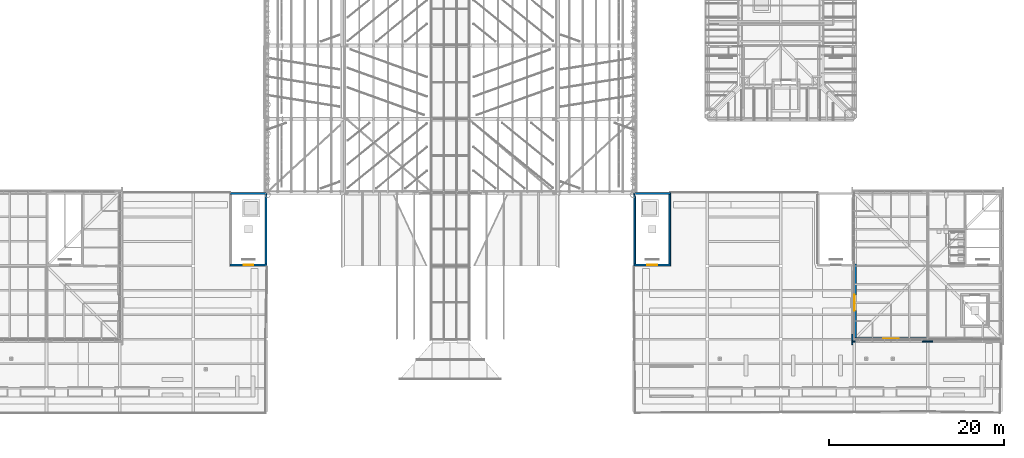
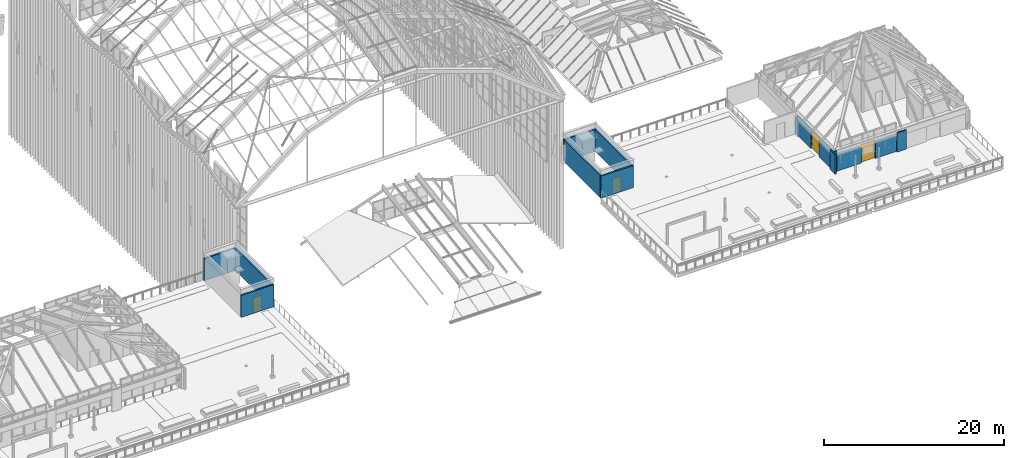
# One storey, part 79 of 126: 12 walls, 4 doors, 4 openings.
"""IFC4 building model written with IfcOpenShell, lengths in metres."""

import ifcopenshell
import ifcopenshell.guid

model = None  # the IFC model being written
_history = None  # IfcOwnerHistory: only IFC2X3 demands one
_inside = {}  # id of a spatial element -> (the spatial element, [elements in it])
_under = {}  # id of a project, library or spatial element -> (it, [spatial elements below it])
_declared = {}  # id of a project -> (the project, [libraries it declares])
_typed = {}  # id of a type object -> (the type object, [elements of that type])
_made_of = {}  # id of a material, layer set ... -> (it, [elements and type objects made of it])


def new_model(schema):
    """Start an empty IFC model of exactly this schema.

    Asked for "IFC4X3", IfcOpenShell would pick the latest addendum, in which some entities
    have other attributes; the version numbers below select the first issue.
    IFC2X3 requires an IfcOwnerHistory on every rooted entity: one is made here for all.
    """
    global model, _history
    if schema == "IFC4X3":
        model = ifcopenshell.file(schema_version=(4, 3, 0, 0))
    else:
        model = ifcopenshell.file(schema=schema)
    _inside.clear()
    _under.clear()
    _declared.clear()
    _typed.clear()
    _made_of.clear()
    _history = None
    if model.schema == "IFC2X3":
        org = make("IfcOrganization", Name="unknown")
        user = make(
            "IfcPersonAndOrganization",
            ThePerson=make("IfcPerson", FamilyName="unknown"),
            TheOrganization=org,
        )
        app = make(
            "IfcApplication",
            ApplicationDeveloper=org,
            Version="unknown",
            ApplicationFullName="unknown",
            ApplicationIdentifier="unknown",
        )
        _history = make(
            "IfcOwnerHistory",
            OwningUser=user,
            OwningApplication=app,
            ChangeAction="ADDED",
            CreationDate=0,
        )
    return model


def make(cls, **values):
    """One entity of the class cls with the attributes given. An attribute that is None is left unset."""
    return model.create_entity(
        cls, **{name: value for name, value in values.items() if value is not None}
    )


def rooted(cls, **values):
    """An entity with a GlobalId (a new one), such as an element, a storey or a relation."""
    return make(cls, GlobalId=ifcopenshell.guid.new(), OwnerHistory=_history, **values)


def si_unit(unit_type, name, prefix=None):
    """IfcSIUnit, for example si_unit("LENGTHUNIT", "METRE", prefix="MILLI")."""
    return make("IfcSIUnit", UnitType=unit_type, Prefix=prefix, Name=name)


def assignment(units):
    """IfcUnitAssignment: the units of a project."""
    return None if units is None else make("IfcUnitAssignment", Units=units)


def point(xyz):
    """IfcCartesianPoint."""
    return None if xyz is None else make("IfcCartesianPoint", Coordinates=xyz)


def direction(xyz):
    """IfcDirection."""
    return None if xyz is None else make("IfcDirection", DirectionRatios=xyz)


def frame(location, z_axis=None, x_axis=None):
    """IfcAxis2Placement3D, a coordinate frame: its origin and axes. An axis left out is left unset."""
    return make(
        "IfcAxis2Placement3D",
        Location=point(location),
        Axis=direction(z_axis),
        RefDirection=direction(x_axis),
    )


def frame_2d(location, x_axis=None):
    """IfcAxis2Placement2D, a coordinate frame in the plane: its origin and x axis."""
    return make(
        "IfcAxis2Placement2D", Location=point(location), RefDirection=direction(x_axis)
    )


def origin():
    """The frame at (0, 0, 0) with its axes left unset."""
    return frame((0.0, 0.0, 0.0))


def place(relative_to, where):
    """IfcLocalPlacement: puts the frame where relative to a parent placement (None: the world)."""
    return make(
        "IfcLocalPlacement", PlacementRelTo=relative_to, RelativePlacement=where
    )


def context(
    kind, dimensions, precision=None, world=None, true_north=None, identifier=None
):
    """IfcGeometricRepresentationContext, for example the 3D "Model" context."""
    return make(
        "IfcGeometricRepresentationContext",
        ContextIdentifier=identifier,
        ContextType=kind,
        CoordinateSpaceDimension=dimensions,
        Precision=precision,
        WorldCoordinateSystem=world,
        TrueNorth=true_north,
    )


def subcontext(parent, identifier, kind, view, scale=None):
    """IfcGeometricRepresentationSubContext, for example "Body" below "Model"."""
    return make(
        "IfcGeometricRepresentationSubContext",
        ContextIdentifier=identifier,
        ContextType=kind,
        ParentContext=parent,
        TargetScale=scale,
        TargetView=view,
    )


def project(units=None, contexts=None):
    """IfcProject with its units and contexts."""
    return rooted(
        "IfcProject",
        Name="project",
        RepresentationContexts=contexts,
        UnitsInContext=assignment(units),
    )


def spatial(cls, under=None, at=None, **own):
    """A site, building, storey or space (cls), placed at a placement, below another one or the project."""
    s = rooted(cls, ObjectPlacement=at, **own)
    if under is not None:
        _under.setdefault(under.id(), (under, []))[1].append(s)
    return s


def profile(cls, at=None, kind="AREA", **sizes):
    """A parametric profile (cls). Its sizes go by their IFC names, for example OverallWidth=200.0."""
    return make(cls, ProfileType=kind, Position=at, **sizes)


def rectangle(**sizes):
    """IfcRectangleProfileDef."""
    return profile("IfcRectangleProfileDef", **sizes)


def extrude(swept, where, along, depth):
    """IfcExtrudedAreaSolid: the profile swept, set in the frame where, extruded along a direction by depth."""
    return make(
        "IfcExtrudedAreaSolid",
        SweptArea=swept,
        Position=where,
        ExtrudedDirection=direction(along),
        Depth=depth,
    )


def shape(context_of_items, identifier, shape_type, items):
    """IfcShapeRepresentation: the items that make up one representation, for example the "Body"."""
    return make(
        "IfcShapeRepresentation",
        ContextOfItems=context_of_items,
        RepresentationIdentifier=identifier,
        RepresentationType=shape_type,
        Items=items,
    )


def material(Name=None, Category=None):
    """IfcMaterial."""
    return make("IfcMaterial", Name=Name, Category=Category)


def layer(
    of_material, thickness, ventilated=None, Name=None, Category=None, Priority=None
):
    """IfcMaterialLayer: one layer of a wall or slab, of a material (None: an air gap)."""
    return make(
        "IfcMaterialLayer",
        Material=of_material,
        LayerThickness=thickness,
        IsVentilated=ventilated,
        Name=Name,
        Category=Category,
        Priority=Priority,
    )


def layer_set(layers, Name=None):
    """IfcMaterialLayerSet."""
    return make("IfcMaterialLayerSet", MaterialLayers=layers, LayerSetName=Name)


def made_of(thing, what):
    """Note that an element or type object is made of a material, layer set ...; save() writes the relation."""
    if what is not None:
        _made_of.setdefault(what.id(), (what, []))[1].append(thing)
    return thing


def type_object(cls, material=None, **own):
    """A type object (cls), such as IfcWallType, which elements share."""
    return made_of(rooted(cls, **own), material)


def element(
    cls,
    number,
    at=None,
    inside=None,
    cuts=None,
    type_object=None,
    material=None,
    context=None,
    identifier="Body",
    shape_type=None,
    held_by="IfcProductDefinitionShape",
    body=None,
    shapes=None,
    **own,
):
    """One element of the class cls, such as IfcWall. Its Tag is "e" and its number.

    at: its placement. inside: the storey or other place that contains it. cuts: it is an
    opening in that element (IfcRelVoidsElement). A single representation is given by context,
    identifier, shape_type and body (its items); several are given by shapes. held_by: the class
    of the entity that holds the representations. save() writes the other relations.
    """
    e = rooted(cls, Tag="e%d" % number, ObjectPlacement=at, **own)
    if body is not None:
        shapes = [shape(context, identifier, shape_type, body)]
    if shapes is not None:
        e.Representation = make(held_by, Representations=shapes)
    if inside is not None:
        _inside.setdefault(inside.id(), (inside, []))[1].append(e)
    if cuts is not None:
        rooted(
            "IfcRelVoidsElement", RelatingBuildingElement=cuts, RelatedOpeningElement=e
        )
    if type_object is not None:
        _typed.setdefault(type_object.id(), (type_object, []))[1].append(e)
    return made_of(e, material)


def fill(opening, filler):
    """IfcRelFillsElement: the door or window that sits in an opening."""
    return rooted(
        "IfcRelFillsElement",
        RelatingOpeningElement=opening,
        RelatedBuildingElement=filler,
    )


def aggregate(whole, parts):
    """IfcRelAggregates: a whole, such as a stair, and the parts it consists of."""
    return rooted("IfcRelAggregates", RelatingObject=whole, RelatedObjects=parts)


def save(model, path):
    """Write the relations noted so far, then the file.

    IfcRelAggregates (storeys below a building ...), IfcRelContainedInSpatialStructure (elements
    in a storey), IfcRelDefinesByType, IfcRelAssociatesMaterial and IfcRelDeclares: one each for
    every whole, place, type object, material and project.
    """
    for whole, parts in _under.values():
        aggregate(whole, parts)
    for where, things in _inside.values():
        rooted(
            "IfcRelContainedInSpatialStructure",
            RelatedElements=things,
            RelatingStructure=where,
        )
    for kind, things in _typed.values():
        rooted("IfcRelDefinesByType", RelatedObjects=things, RelatingType=kind)
    for what, things in _made_of.values():
        rooted("IfcRelAssociatesMaterial", RelatedObjects=things, RelatingMaterial=what)
    for by, libraries in _declared.values():
        rooted("IfcRelDeclares", RelatingContext=by, RelatedDefinitions=libraries)
    model.write(path)


model = new_model("IFC4")

# Units and contexts
model_context = context("Model", 3, precision=1e-05, world=origin(), true_north=direction((0.0, 1.0)))
body_context = subcontext(model_context, "Body", "Model", "MODEL_VIEW")
ifc_project = project(units=[si_unit("LENGTHUNIT", "METRE"), si_unit("AREAUNIT", "SQUARE_METRE"), si_unit("VOLUMEUNIT", "CUBIC_METRE"), si_unit("PLANEANGLEUNIT", "RADIAN"), si_unit("MASSUNIT", "GRAM", prefix="KILO")], contexts=[model_context])

# Site, building, storey
site_placement = place(None, origin())
site = spatial("IfcSite", under=ifc_project, at=site_placement, CompositionType="ELEMENT")
building_placement = place(site_placement, origin())
building = spatial("IfcBuilding", under=site, at=building_placement, Name="Sava Quay Ferry Terminal", CompositionType="ELEMENT")
storey_placement = place(building_placement, frame((0.0, 0.0, 15.0)))
storey = spatial("IfcBuildingStorey", under=building, at=storey_placement, Name="L03", CompositionType="ELEMENT", Elevation=15.0)

# Walls
ifc_material_1 = material(Name="Limestone Mutalj", Category="masonry")
ifc_layer_1 = layer(ifc_material_1, 0.14990234375)
ifc_layer_set_1 = layer_set([ifc_layer_1], Name="Limestone Mutalj")
wall_type_1 = type_object("IfcWallType", Name="Pier cladding 150", PredefinedType="SOLIDWALL", material=ifc_layer_set_1)
wall_1_placement = place(storey_placement, frame((108.929931640625, 33.364990234375, 0.0), z_axis=(0.0, 0.0, 1.0), x_axis=(1.0, 0.0, 0.0)))
element("IfcWall", 1, at=wall_1_placement, inside=storey, type_object=wall_type_1, Name="Pier P-S-PAV grid 109.2", PredefinedType="SOLIDWALL", context=body_context, shape_type="SweptSolid", body=[
    extrude(rectangle(XDim=0.39013671875, YDim=0.14990234375, at=frame_2d((0.195068359375, 0.0))), origin(), (0.0, 0.0, 1.0), 2.89990234375),
])
for number, where, z_axis, x_axis, name in (
    (2, (117.0, 33.364990234375, 0.0), (0.0, 0.0, 1.0), (1.0, 0.0, 0.0), "Pier P-S-PAV grid 117.6"),
    (3, (108.97509765625, 33.0, 0.0), (0.0, 0.0, 1.0), (0.0, 1.0, 0.0), "Pier P-W-PAV grid 33.6"),
):
    element("IfcWall", number, at=place(storey_placement, frame(where, z_axis=z_axis, x_axis=x_axis)), inside=storey, type_object=wall_type_1, Name=name, PredefinedType="SOLIDWALL", context=body_context, shape_type="SweptSolid", body=[
        extrude(rectangle(XDim=1.199951171875, YDim=0.14990234375, at=frame_2d((0.60009765625, 0.0))), origin(), (0.0, 0.0, 1.0), 2.60986328125),
    ])

# Wall, opening, door
ifc_material_2 = material(Name="Concrete C35/45", Category="concrete")
ifc_layer_2 = layer(ifc_material_2, 0.199951171875)
ifc_layer_set_2 = layer_set([ifc_layer_2], Name="Concrete C35/45")
wall_type_2 = type_object("IfcWallType", Name="RC core wall 200", PredefinedType="SHEAR", material=ifc_layer_set_2)
wall_2_placement = place(storey_placement, frame((84.0, 42.10009765625, 0.0), z_axis=(0.0, 0.0, 1.0), x_axis=(1.0, 0.0, 0.0)))
wall_2 = element("IfcWall", 4, at=wall_2_placement, inside=storey, type_object=wall_type_2, Name="Core wall ST-P1 S L03", PredefinedType="SHEAR", context=body_context, shape_type="SweptSolid", body=[
    extrude(rectangle(XDim=4.199951171875, YDim=0.199951171875, at=frame_2d((2.10009765625, 0.0))), origin(), (0.0, 0.0, 1.0), 3.0),
])
opening_1_placement = place(wall_2_placement, frame((1.550048828125, 0.0, 0.0)))
opening_1 = element("IfcOpeningElement", 5, at=opening_1_placement, cuts=wall_2, Name="Opening DH0302", PredefinedType="OPENING", context=body_context, shape_type="SweptSolid", body=[
    extrude(rectangle(XDim=1.10009765625, YDim=2.10009765625, at=frame_2d((0.550048828125, 1.050048828125))), frame((0.0, 0.10009765625, 0.0), z_axis=(0.0, -1.0, 0.0), x_axis=(1.0, 0.0, 0.0)), (0.0, 0.0, 1.0), 0.199951171875),
])
ifc_material_3 = material(Name="Steel fire door set", Category="steel")
door_type_1 = type_object("IfcDoorType", Name="Stair fire door 1100 x 2100", OperationType="NOTDEFINED", PredefinedType="DOOR", material=ifc_material_3)
door_1_placement = place(opening_1_placement, origin())
door_1 = element("IfcDoor", 6, at=door_1_placement, inside=storey, type_object=door_type_1, Name="Door DH0302", OperationType="SINGLE_SWING_RIGHT", OverallHeight=2.10009765625, OverallWidth=1.10009765625, PredefinedType="DOOR", context=body_context, shape_type="SweptSolid", body=[
    extrude(rectangle(XDim=1.10009765625, YDim=2.10009765625, at=frame_2d((0.550048828125, 1.050048828125))), frame((0.0, 0.02490234375, 0.0), z_axis=(0.0, -1.0, 0.0), x_axis=(1.0, 0.0, 0.0)), (0.0, 0.0, 1.0), 0.050048828125),
])
fill(opening_1, door_1)

# Walls
wall_3_placement = place(storey_placement, frame((84.0, 50.300048828125, 0.0), z_axis=(0.0, 0.0, 1.0), x_axis=(1.0, 0.0, 0.0)))
element("IfcWall", 7, at=wall_3_placement, inside=storey, type_object=wall_type_2, Name="Core wall ST-P1 N L03", PredefinedType="SHEAR", context=body_context, shape_type="SweptSolid", body=[
    extrude(rectangle(XDim=4.199951171875, YDim=0.199951171875, at=frame_2d((2.10009765625, 0.0))), origin(), (0.0, 0.0, 1.0), 3.0),
])
for number, where, z_axis, x_axis, name in (
    (8, (84.10009765625, 42.199951171875, 0.0), (0.0, 0.0, 1.0), (0.0, 1.0, 0.0), "Core wall ST-P1 W L03"),
    (9, (88.10009765625, 42.199951171875, 0.0), (0.0, 0.0, 1.0), (0.0, 1.0, 0.0), "Core wall ST-P1 E L03"),
):
    element("IfcWall", number, at=place(storey_placement, frame(where, z_axis=z_axis, x_axis=x_axis)), inside=storey, type_object=wall_type_2, Name=name, PredefinedType="SHEAR", context=body_context, shape_type="SweptSolid", body=[
        extrude(rectangle(XDim=8.0, YDim=0.199951171875, at=frame_2d((4.0, 0.0))), origin(), (0.0, 0.0, 1.0), 3.0),
    ])

# Wall, opening, door
wall_4_placement = place(storey_placement, frame((37.800048828125, 42.10009765625, 0.0), z_axis=(0.0, 0.0, 1.0), x_axis=(1.0, 0.0, 0.0)))
wall_4 = element("IfcWall", 10, at=wall_4_placement, inside=storey, type_object=wall_type_2, Name="Core wall ST-W2 S L03", PredefinedType="SHEAR", context=body_context, shape_type="SweptSolid", body=[
    extrude(rectangle(XDim=4.199951171875, YDim=0.199951171875, at=frame_2d((2.10009765625, 0.0))), origin(), (0.0, 0.0, 1.0), 3.0),
])
opening_2_placement = place(wall_4_placement, frame((1.550048828125, 0.0, 0.0)))
opening_2 = element("IfcOpeningElement", 11, at=opening_2_placement, cuts=wall_4, Name="Opening DH0301", PredefinedType="OPENING", context=body_context, shape_type="SweptSolid", body=[
    extrude(rectangle(XDim=1.10009765625, YDim=2.10009765625, at=frame_2d((0.550048828125, 1.050048828125))), frame((0.0, 0.10009765625, 0.0), z_axis=(0.0, -1.0, 0.0), x_axis=(1.0, 0.0, 0.0)), (0.0, 0.0, 1.0), 0.199951171875),
])
door_2_placement = place(opening_2_placement, origin())
door_2 = element("IfcDoor", 12, at=door_2_placement, inside=storey, type_object=door_type_1, Name="Door DH0301", OperationType="SINGLE_SWING_RIGHT", OverallHeight=2.10009765625, OverallWidth=1.10009765625, PredefinedType="DOOR", context=body_context, shape_type="SweptSolid", body=[
    extrude(rectangle(XDim=1.10009765625, YDim=2.10009765625, at=frame_2d((0.550048828125, 1.050048828125))), frame((0.0, 0.02490234375, 0.0), z_axis=(0.0, -1.0, 0.0), x_axis=(1.0, 0.0, 0.0)), (0.0, 0.0, 1.0), 0.050048828125),
])
fill(opening_2, door_2)

# Walls
wall_5_placement = place(storey_placement, frame((37.800048828125, 50.300048828125, 0.0), z_axis=(0.0, 0.0, 1.0), x_axis=(1.0, 0.0, 0.0)))
element("IfcWall", 13, at=wall_5_placement, inside=storey, type_object=wall_type_2, Name="Core wall ST-W2 N L03", PredefinedType="SHEAR", context=body_context, shape_type="SweptSolid", body=[
    extrude(rectangle(XDim=4.199951171875, YDim=0.199951171875, at=frame_2d((2.10009765625, 0.0))), origin(), (0.0, 0.0, 1.0), 3.0),
])
wall_6_placement = place(storey_placement, frame((41.89990234375, 42.199951171875, 0.0), z_axis=(0.0, 0.0, 1.0), x_axis=(0.0, 1.0, 0.0)))
element("IfcWall", 14, at=wall_6_placement, inside=storey, type_object=wall_type_2, Name="Core wall ST-W2 E L03", PredefinedType="SHEAR", context=body_context, shape_type="SweptSolid", body=[
    extrude(rectangle(XDim=8.0, YDim=0.199951171875, at=frame_2d((4.0, 0.0))), origin(), (0.0, 0.0, 1.0), 3.0),
])

# Wall, opening, door
ifc_material_4 = material(Name="Sandstone Bela Voda", Category="masonry")
ifc_layer_3 = layer(ifc_material_4, 0.39990234375)
ifc_layer_set_3 = layer_set([ifc_layer_3], Name="Sandstone Bela Voda")
wall_type_3 = type_object("IfcWallType", Name="Sandstone ashlar infill 400", PredefinedType="SOLIDWALL", material=ifc_layer_set_3)
wall_7_placement = place(storey_placement, frame((109.320068359375, 33.639892578125, 0.0), z_axis=(0.0, 0.0, 1.0), x_axis=(1.0, 0.0, 0.0)))
wall_7 = element("IfcWall", 15, at=wall_7_placement, inside=storey, type_object=wall_type_3, Name="External wall P-S-PAV", PredefinedType="SOLIDWALL", context=body_context, shape_type="SweptSolid", body=[
    extrude(rectangle(XDim=8.159912109375, YDim=0.39990234375, at=frame_2d((4.080078125, 0.0))), origin(), (0.0, 0.0, 1.0), 2.14990234375),
])
opening_3_placement = place(wall_7_placement, frame((3.179931640625, 0.0, 0.0)))
opening_3 = element("IfcOpeningElement", 16, at=opening_3_placement, cuts=wall_7, Name="Opening DTP3", PredefinedType="OPENING", context=body_context, shape_type="SweptSolid", body=[
    extrude(rectangle(XDim=1.800048828125, YDim=2.39990234375, at=frame_2d((0.89990234375, 1.199951171875))), frame((0.0, 0.199951171875, 0.0), z_axis=(0.0, -1.0, 0.0), x_axis=(1.0, 0.0, 0.0)), (0.0, 0.0, 1.0), 0.39990234375),
])
ifc_material_5 = material(Name="Aluminium bronze anodised, glazing safety laminated", Category="aluminium")
door_type_2 = type_object("IfcDoorType", Name="Exit double door 1800x2400", OperationType="DOUBLE_DOOR_SINGLE_SWING", PredefinedType="DOOR", material=ifc_material_5)
door_3_placement = place(opening_3_placement, origin())
door_3 = element("IfcDoor", 17, at=door_3_placement, inside=storey, type_object=door_type_2, Name="Door DTP3", OperationType="DOUBLE_DOOR_SINGLE_SWING", OverallHeight=2.39990234375, OverallWidth=1.800048828125, PredefinedType="DOOR", context=body_context, shape_type="SweptSolid", body=[
    extrude(rectangle(XDim=1.800048828125, YDim=2.39990234375, at=frame_2d((0.89990234375, 1.199951171875))), frame((0.0, 0.02490234375, 0.0), z_axis=(0.0, -1.0, 0.0), x_axis=(1.0, 0.0, 0.0)), (0.0, 0.0, 1.0), 0.050048828125),
])
fill(opening_3, door_3)

wall_8_placement = place(storey_placement, frame((109.25, 33.719970703125, 0.0), z_axis=(0.0, 0.0, 1.0), x_axis=(0.0, 1.0, 0.0)))
wall_8 = element("IfcWall", 18, at=wall_8_placement, inside=storey, type_object=wall_type_3, Name="External wall P-W-PAV", PredefinedType="SOLIDWALL", context=body_context, shape_type="SweptSolid", body=[
    extrude(rectangle(XDim=8.47998046875, YDim=0.39990234375, at=frame_2d((4.239990234375, 0.0))), origin(), (0.0, 0.0, 1.0), 2.14990234375),
])
opening_4_placement = place(wall_8_placement, frame((3.179931640625, 0.0, 0.0)))
opening_4 = element("IfcOpeningElement", 19, at=opening_4_placement, cuts=wall_8, Name="Opening DTP1", PredefinedType="OPENING", context=body_context, shape_type="SweptSolid", body=[
    extrude(rectangle(XDim=1.800048828125, YDim=2.39990234375, at=frame_2d((0.89990234375, 1.199951171875))), frame((0.0, 0.199951171875, 0.0), z_axis=(0.0, -1.0, 0.0), x_axis=(1.0, 0.0, 0.0)), (0.0, 0.0, 1.0), 0.39990234375),
])
door_4_placement = place(opening_4_placement, origin())
door_4 = element("IfcDoor", 20, at=door_4_placement, inside=storey, type_object=door_type_2, Name="Door DTP1", OperationType="DOUBLE_DOOR_SINGLE_SWING", OverallHeight=2.39990234375, OverallWidth=1.800048828125, PredefinedType="DOOR", context=body_context, shape_type="SweptSolid", body=[
    extrude(rectangle(XDim=1.800048828125, YDim=2.39990234375, at=frame_2d((0.89990234375, 1.199951171875))), frame((0.0, 0.02490234375, 0.0), z_axis=(0.0, -1.0, 0.0), x_axis=(1.0, 0.0, 0.0)), (0.0, 0.0, 1.0), 0.050048828125),
])
fill(opening_4, door_4)

save(model, "model.ifc")
